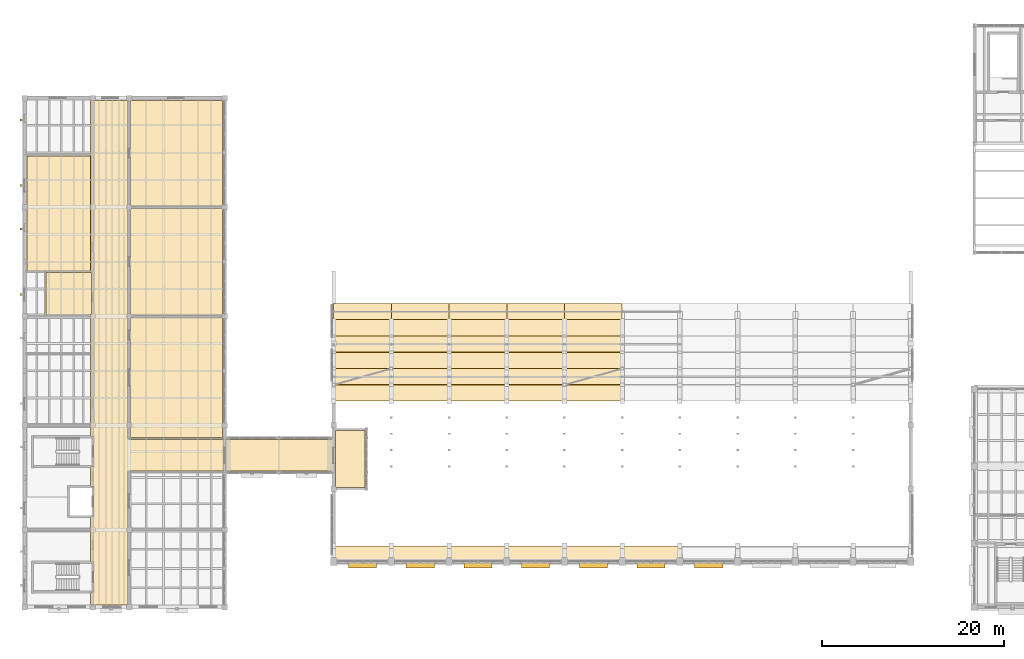
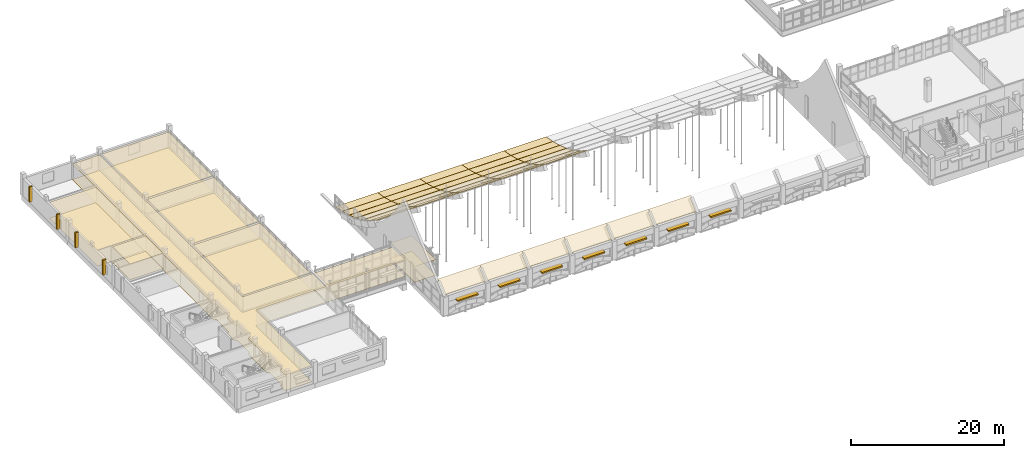
# One storey, part 73 of 77: 52 coverings, 11 shading devices.
"""IFC4 building model written with IfcOpenShell, lengths in metres."""

import ifcopenshell
import ifcopenshell.guid

model = None  # the IFC model being written
_history = None  # IfcOwnerHistory: only IFC2X3 demands one
_inside = {}  # id of a spatial element -> (the spatial element, [elements in it])
_under = {}  # id of a project, library or spatial element -> (it, [spatial elements below it])
_declared = {}  # id of a project -> (the project, [libraries it declares])
_typed = {}  # id of a type object -> (the type object, [elements of that type])
_made_of = {}  # id of a material, layer set ... -> (it, [elements and type objects made of it])


def new_model(schema):
    """Start an empty IFC model of exactly this schema.

    Asked for "IFC4X3", IfcOpenShell would pick the latest addendum, in which some entities
    have other attributes; the version numbers below select the first issue.
    IFC2X3 requires an IfcOwnerHistory on every rooted entity: one is made here for all.
    """
    global model, _history
    if schema == "IFC4X3":
        model = ifcopenshell.file(schema_version=(4, 3, 0, 0))
    else:
        model = ifcopenshell.file(schema=schema)
    _inside.clear()
    _under.clear()
    _declared.clear()
    _typed.clear()
    _made_of.clear()
    _history = None
    if model.schema == "IFC2X3":
        org = make("IfcOrganization", Name="unknown")
        user = make(
            "IfcPersonAndOrganization",
            ThePerson=make("IfcPerson", FamilyName="unknown"),
            TheOrganization=org,
        )
        app = make(
            "IfcApplication",
            ApplicationDeveloper=org,
            Version="unknown",
            ApplicationFullName="unknown",
            ApplicationIdentifier="unknown",
        )
        _history = make(
            "IfcOwnerHistory",
            OwningUser=user,
            OwningApplication=app,
            ChangeAction="ADDED",
            CreationDate=0,
        )
    return model


def make(cls, **values):
    """One entity of the class cls with the attributes given. An attribute that is None is left unset."""
    return model.create_entity(
        cls, **{name: value for name, value in values.items() if value is not None}
    )


def rooted(cls, **values):
    """An entity with a GlobalId (a new one), such as an element, a storey or a relation."""
    return make(cls, GlobalId=ifcopenshell.guid.new(), OwnerHistory=_history, **values)


def si_unit(unit_type, name, prefix=None):
    """IfcSIUnit, for example si_unit("LENGTHUNIT", "METRE", prefix="MILLI")."""
    return make("IfcSIUnit", UnitType=unit_type, Prefix=prefix, Name=name)


def assignment(units):
    """IfcUnitAssignment: the units of a project."""
    return None if units is None else make("IfcUnitAssignment", Units=units)


def point(xyz):
    """IfcCartesianPoint."""
    return None if xyz is None else make("IfcCartesianPoint", Coordinates=xyz)


def direction(xyz):
    """IfcDirection."""
    return None if xyz is None else make("IfcDirection", DirectionRatios=xyz)


def frame(location, z_axis=None, x_axis=None):
    """IfcAxis2Placement3D, a coordinate frame: its origin and axes. An axis left out is left unset."""
    return make(
        "IfcAxis2Placement3D",
        Location=point(location),
        Axis=direction(z_axis),
        RefDirection=direction(x_axis),
    )


def frame_2d(location, x_axis=None):
    """IfcAxis2Placement2D, a coordinate frame in the plane: its origin and x axis."""
    return make(
        "IfcAxis2Placement2D", Location=point(location), RefDirection=direction(x_axis)
    )


def origin():
    """The frame at (0, 0, 0) with its axes left unset."""
    return frame((0.0, 0.0, 0.0))


def origin_2d():
    """The frame at (0, 0) in the plane with its x axis left unset."""
    return frame_2d((0.0, 0.0))


def place(relative_to, where):
    """IfcLocalPlacement: puts the frame where relative to a parent placement (None: the world)."""
    return make(
        "IfcLocalPlacement", PlacementRelTo=relative_to, RelativePlacement=where
    )


def context(
    kind, dimensions, precision=None, world=None, true_north=None, identifier=None
):
    """IfcGeometricRepresentationContext, for example the 3D "Model" context."""
    return make(
        "IfcGeometricRepresentationContext",
        ContextIdentifier=identifier,
        ContextType=kind,
        CoordinateSpaceDimension=dimensions,
        Precision=precision,
        WorldCoordinateSystem=world,
        TrueNorth=true_north,
    )


def subcontext(parent, identifier, kind, view, scale=None):
    """IfcGeometricRepresentationSubContext, for example "Body" below "Model"."""
    return make(
        "IfcGeometricRepresentationSubContext",
        ContextIdentifier=identifier,
        ContextType=kind,
        ParentContext=parent,
        TargetScale=scale,
        TargetView=view,
    )


def project(units=None, contexts=None):
    """IfcProject with its units and contexts."""
    return rooted(
        "IfcProject",
        Name="project",
        RepresentationContexts=contexts,
        UnitsInContext=assignment(units),
    )


def spatial(cls, under=None, at=None, **own):
    """A site, building, storey or space (cls), placed at a placement, below another one or the project."""
    s = rooted(cls, ObjectPlacement=at, **own)
    if under is not None:
        _under.setdefault(under.id(), (under, []))[1].append(s)
    return s


def polyline(points):
    """IfcPolyline through the points."""
    return make("IfcPolyline", Points=[point(p) for p in points])


def profile(cls, at=None, kind="AREA", **sizes):
    """A parametric profile (cls). Its sizes go by their IFC names, for example OverallWidth=200.0."""
    return make(cls, ProfileType=kind, Position=at, **sizes)


def rectangle(**sizes):
    """IfcRectangleProfileDef."""
    return profile("IfcRectangleProfileDef", **sizes)


def outline(outer, holes=None, kind="AREA"):
    """IfcArbitraryClosedProfileDef: a profile drawn as a closed curve; with holes, ...WithVoids."""
    if holes is None:
        return make("IfcArbitraryClosedProfileDef", ProfileType=kind, OuterCurve=outer)
    return make(
        "IfcArbitraryProfileDefWithVoids",
        ProfileType=kind,
        OuterCurve=outer,
        InnerCurves=holes,
    )


def extrude(swept, where, along, depth):
    """IfcExtrudedAreaSolid: the profile swept, set in the frame where, extruded along a direction by depth."""
    return make(
        "IfcExtrudedAreaSolid",
        SweptArea=swept,
        Position=where,
        ExtrudedDirection=direction(along),
        Depth=depth,
    )


def shape(context_of_items, identifier, shape_type, items):
    """IfcShapeRepresentation: the items that make up one representation, for example the "Body"."""
    return make(
        "IfcShapeRepresentation",
        ContextOfItems=context_of_items,
        RepresentationIdentifier=identifier,
        RepresentationType=shape_type,
        Items=items,
    )


def material(Name=None, Category=None):
    """IfcMaterial."""
    return make("IfcMaterial", Name=Name, Category=Category)


def layer(
    of_material, thickness, ventilated=None, Name=None, Category=None, Priority=None
):
    """IfcMaterialLayer: one layer of a wall or slab, of a material (None: an air gap)."""
    return make(
        "IfcMaterialLayer",
        Material=of_material,
        LayerThickness=thickness,
        IsVentilated=ventilated,
        Name=Name,
        Category=Category,
        Priority=Priority,
    )


def layer_set(layers, Name=None):
    """IfcMaterialLayerSet."""
    return make("IfcMaterialLayerSet", MaterialLayers=layers, LayerSetName=Name)


def made_of(thing, what):
    """Note that an element or type object is made of a material, layer set ...; save() writes the relation."""
    if what is not None:
        _made_of.setdefault(what.id(), (what, []))[1].append(thing)
    return thing


def type_object(cls, material=None, **own):
    """A type object (cls), such as IfcWallType, which elements share."""
    return made_of(rooted(cls, **own), material)


def element(
    cls,
    number,
    at=None,
    inside=None,
    cuts=None,
    type_object=None,
    material=None,
    context=None,
    identifier="Body",
    shape_type=None,
    held_by="IfcProductDefinitionShape",
    body=None,
    shapes=None,
    **own,
):
    """One element of the class cls, such as IfcWall. Its Tag is "e" and its number.

    at: its placement. inside: the storey or other place that contains it. cuts: it is an
    opening in that element (IfcRelVoidsElement). A single representation is given by context,
    identifier, shape_type and body (its items); several are given by shapes. held_by: the class
    of the entity that holds the representations. save() writes the other relations.
    """
    e = rooted(cls, Tag="e%d" % number, ObjectPlacement=at, **own)
    if body is not None:
        shapes = [shape(context, identifier, shape_type, body)]
    if shapes is not None:
        e.Representation = make(held_by, Representations=shapes)
    if inside is not None:
        _inside.setdefault(inside.id(), (inside, []))[1].append(e)
    if cuts is not None:
        rooted(
            "IfcRelVoidsElement", RelatingBuildingElement=cuts, RelatedOpeningElement=e
        )
    if type_object is not None:
        _typed.setdefault(type_object.id(), (type_object, []))[1].append(e)
    return made_of(e, material)


def aggregate(whole, parts):
    """IfcRelAggregates: a whole, such as a stair, and the parts it consists of."""
    return rooted("IfcRelAggregates", RelatingObject=whole, RelatedObjects=parts)


def save(model, path):
    """Write the relations noted so far, then the file.

    IfcRelAggregates (storeys below a building ...), IfcRelContainedInSpatialStructure (elements
    in a storey), IfcRelDefinesByType, IfcRelAssociatesMaterial and IfcRelDeclares: one each for
    every whole, place, type object, material and project.
    """
    for whole, parts in _under.values():
        aggregate(whole, parts)
    for where, things in _inside.values():
        rooted(
            "IfcRelContainedInSpatialStructure",
            RelatedElements=things,
            RelatingStructure=where,
        )
    for kind, things in _typed.values():
        rooted("IfcRelDefinesByType", RelatedObjects=things, RelatingType=kind)
    for what, things in _made_of.values():
        rooted("IfcRelAssociatesMaterial", RelatedObjects=things, RelatingMaterial=what)
    for by, libraries in _declared.values():
        rooted("IfcRelDeclares", RelatingContext=by, RelatedDefinitions=libraries)
    model.write(path)


model = new_model("IFC4")

# Units and contexts
model_context = context("Model", 3, precision=1e-05, world=origin(), true_north=direction((0.0, 1.0)))
body_context = subcontext(model_context, "Body", "Model", "MODEL_VIEW")
ifc_project = project(units=[si_unit("LENGTHUNIT", "METRE"), si_unit("AREAUNIT", "SQUARE_METRE"), si_unit("VOLUMEUNIT", "CUBIC_METRE"), si_unit("PLANEANGLEUNIT", "RADIAN"), si_unit("MASSUNIT", "GRAM", prefix="KILO")], contexts=[model_context])

# Site, building, storey
site_placement = place(None, origin())
site = spatial("IfcSite", under=ifc_project, at=site_placement, CompositionType="ELEMENT")
building_placement = place(site_placement, origin())
building = spatial("IfcBuilding", under=site, at=building_placement, Name="Trellovar Central Fire Station", CompositionType="ELEMENT")
storey_placement = place(building_placement, frame((0.0, 0.0, 5.85009765625)))
storey = spatial("IfcBuildingStorey", under=building, at=storey_placement, Name="L02", CompositionType="ELEMENT", Elevation=5.85009765625)

# Coverings
ifc_material_1 = material(Name="Perforated acoustic mineral fiber ceiling tile", Category="mineral")
ifc_layer_1 = layer(ifc_material_1, 0.02490234375)
ifc_layer_set_1 = layer_set([ifc_layer_1], Name="Perforated acoustic mineral fiber ceiling tile")
covering_type_1 = type_object("IfcCoveringType", Name="COV-CLG1", PredefinedType="CEILING", material=ifc_layer_set_1)
covering_1_placement = place(storey_placement, frame((0.0, 0.0, 2.47998046875)))
element("IfcCovering", 1, at=covering_1_placement, inside=storey, type_object=covering_type_1, Name="Crew Level Two Corridor suspended ceiling", PredefinedType="CEILING", context=body_context, shape_type="SweptSolid", body=[
    extrude(outline(polyline([(8.56005859375, 18.93994140625), (8.56005859375, 22.260009765625), (8.25, 22.260009765625), (8.25, 24.43994140625), (8.56005859375, 24.43994140625), (8.56005859375, 27.760009765625), (8.25, 27.760009765625), (8.25, 64.75), (12.35009765625, 64.75), (12.35009765625, 27.449951171875), (22.949951171875, 27.449951171875), (22.949951171875, 23.949951171875), (12.35009765625, 23.949951171875), (12.35009765625, 9.25), (8.25, 9.25), (8.25, 10.639892578125), (8.56005859375, 10.639892578125), (8.56005859375, 13.9599609375), (8.25, 13.9599609375), (8.25, 18.93994140625), (8.56005859375, 18.93994140625)])), origin(), (0.0, 0.0, 1.0), 0.02490234375),
])
covering_2_placement = place(storey_placement, frame((0.0, 0.0, 2.47998046875)))
element("IfcCovering", 2, at=covering_2_placement, inside=storey, type_object=covering_type_1, Name="Crew Dayroom and Lounge suspended ceiling", PredefinedType="CEILING", context=body_context, shape_type="SweptSolid", body=[
    extrude(outline(polyline([(22.75, 40.85009765625), (22.75, 27.64990234375), (12.64990234375, 27.64990234375), (12.64990234375, 40.85009765625), (22.75, 40.85009765625)])), origin(), (0.0, 0.0, 1.0), 0.02490234375),
])
covering_3_placement = place(storey_placement, frame((0.0, 0.0, 2.47998046875)))
element("IfcCovering", 3, at=covering_3_placement, inside=storey, type_object=covering_type_1, Name="Linen and Bedding Store Room suspended ceiling", PredefinedType="CEILING", context=body_context, shape_type="SweptSolid", body=[
    extrude(outline(polyline([(8.25, 58.64990234375), (8.25, 46.0), (1.25, 46.0), (1.25, 58.64990234375), (8.25, 58.64990234375)])), origin(), (0.0, 0.0, 1.0), 0.02490234375),
])
covering_4_placement = place(storey_placement, frame((0.0, 0.0, 2.47998046875)))
element("IfcCovering", 4, at=covering_4_placement, inside=storey, type_object=covering_type_1, Name="Courtyard Cloister Bridge Corridor suspended ceiling", PredefinedType="CEILING", context=body_context, shape_type="SweptSolid", body=[
    extrude(outline(polyline([(34.949951171875, 27.449951171875), (34.949951171875, 23.949951171875), (23.050048828125, 23.949951171875), (23.050048828125, 27.449951171875), (34.949951171875, 27.449951171875)])), origin(), (0.0, 0.0, 1.0), 0.02490234375),
])
covering_5_placement = place(storey_placement, frame((0.0, 0.0, 2.47998046875)))
element("IfcCovering", 5, at=covering_5_placement, inside=storey, type_object=covering_type_1, Name="Appliance Vault Observation Gallery suspended ceiling", PredefinedType="CEILING", context=body_context, shape_type="SweptSolid", body=[
    extrude(outline(polyline([(38.449951171875, 28.449951171875), (38.449951171875, 22.14990234375), (35.199951171875, 22.14990234375), (35.199951171875, 28.449951171875), (38.449951171875, 28.449951171875)])), origin(), (0.0, 0.0, 1.0), 0.02490234375),
])
ifc_material_2 = material(Name="Moisture-resistant gypsum ceiling board", Category="gypsum")
ifc_layer_2 = layer(ifc_material_2, 0.030029296875)
ifc_layer_set_2 = layer_set([ifc_layer_2], Name="Moisture-resistant gypsum ceiling board")
covering_type_2 = type_object("IfcCoveringType", Name="COV-CLG2", PredefinedType="CEILING", material=ifc_layer_set_2)
covering_6_placement = place(storey_placement, frame((0.0, 0.0, 2.47998046875)))
element("IfcCovering", 6, at=covering_6_placement, inside=storey, type_object=covering_type_2, Name="Crew Locker and Shower Block A suspended ceiling", PredefinedType="CEILING", context=body_context, shape_type="SweptSolid", body=[
    extrude(outline(polyline([(22.75, 52.85009765625), (22.75, 41.14990234375), (12.64990234375, 41.14990234375), (12.64990234375, 52.85009765625), (22.75, 52.85009765625)])), origin(), (0.0, 0.0, 1.0), 0.030029296875),
])
covering_7_placement = place(storey_placement, frame((0.0, 0.0, 2.47998046875)))
element("IfcCovering", 7, at=covering_7_placement, inside=storey, type_object=covering_type_2, Name="Crew Locker and Shower Block B suspended ceiling", PredefinedType="CEILING", context=body_context, shape_type="SweptSolid", body=[
    extrude(outline(polyline([(22.75, 64.75), (22.75, 53.14990234375), (12.64990234375, 53.14990234375), (12.64990234375, 64.75), (22.75, 64.75)])), origin(), (0.0, 0.0, 1.0), 0.030029296875),
])
covering_8_placement = place(storey_placement, frame((0.0, 0.0, 2.47998046875)))
element("IfcCovering", 8, at=covering_8_placement, inside=storey, type_object=covering_type_2, Name="Crew Level Two Accessible Bathroom suspended ceiling", PredefinedType="CEILING", context=body_context, shape_type="SweptSolid", body=[
    extrude(outline(polyline([(8.35009765625, 45.800048828125), (8.35009765625, 41.199951171875), (3.35009765625, 41.199951171875), (3.35009765625, 45.800048828125), (8.35009765625, 45.800048828125)])), origin(), (0.0, 0.0, 1.0), 0.030029296875),
])
ifc_material_3 = material(Name="Vitrified Catalan ceramic floor tile", Category="masonry")
ifc_layer_3 = layer(ifc_material_3, 0.01806640625)
ifc_layer_set_3 = layer_set([ifc_layer_3], Name="Vitrified Catalan ceramic floor tile")
covering_type_3 = type_object("IfcCoveringType", Name="COV-FLR2", PredefinedType="FLOORING", material=ifc_layer_set_3)
covering_9_placement = place(storey_placement, origin())
element("IfcCovering", 9, at=covering_9_placement, inside=storey, type_object=covering_type_3, Name="Crew Level Two Corridor floor finish", PredefinedType="FLOORING", context=body_context, shape_type="SweptSolid", body=[
    extrude(outline(polyline([(8.56005859375, 18.93994140625), (8.56005859375, 22.260009765625), (8.25, 22.260009765625), (8.25, 24.43994140625), (8.56005859375, 24.43994140625), (8.56005859375, 27.760009765625), (8.25, 27.760009765625), (8.25, 64.75), (12.35009765625, 64.75), (12.35009765625, 27.449951171875), (22.949951171875, 27.449951171875), (22.949951171875, 23.949951171875), (12.35009765625, 23.949951171875), (12.35009765625, 9.25), (8.25, 9.25), (8.25, 10.639892578125), (8.56005859375, 10.639892578125), (8.56005859375, 13.9599609375), (8.25, 13.9599609375), (8.25, 18.93994140625), (8.56005859375, 18.93994140625)])), origin(), (0.0, 0.0, 1.0), 0.017822265625),
])
covering_10_placement = place(storey_placement, origin())
element("IfcCovering", 10, at=covering_10_placement, inside=storey, type_object=covering_type_3, Name="Crew Dayroom and Lounge floor finish", PredefinedType="FLOORING", context=body_context, shape_type="SweptSolid", body=[
    extrude(outline(polyline([(22.75, 40.85009765625), (22.75, 27.64990234375), (12.64990234375, 27.64990234375), (12.64990234375, 40.85009765625), (22.75, 40.85009765625)])), origin(), (0.0, 0.0, 1.0), 0.017822265625),
])
covering_11_placement = place(storey_placement, origin())
element("IfcCovering", 11, at=covering_11_placement, inside=storey, type_object=covering_type_3, Name="Crew Locker and Shower Block A floor finish", PredefinedType="FLOORING", context=body_context, shape_type="SweptSolid", body=[
    extrude(outline(polyline([(22.75, 52.85009765625), (22.75, 41.14990234375), (12.64990234375, 41.14990234375), (12.64990234375, 52.85009765625), (22.75, 52.85009765625)])), origin(), (0.0, 0.0, 1.0), 0.017822265625),
])
covering_12_placement = place(storey_placement, origin())
element("IfcCovering", 12, at=covering_12_placement, inside=storey, type_object=covering_type_3, Name="Crew Locker and Shower Block B floor finish", PredefinedType="FLOORING", context=body_context, shape_type="SweptSolid", body=[
    extrude(outline(polyline([(22.75, 64.75), (22.75, 53.14990234375), (12.64990234375, 53.14990234375), (12.64990234375, 64.75), (22.75, 64.75)])), origin(), (0.0, 0.0, 1.0), 0.017822265625),
])
covering_13_placement = place(storey_placement, origin())
element("IfcCovering", 13, at=covering_13_placement, inside=storey, type_object=covering_type_3, Name="Crew Level Two Accessible Bathroom floor finish", PredefinedType="FLOORING", context=body_context, shape_type="SweptSolid", body=[
    extrude(outline(polyline([(8.35009765625, 45.800048828125), (8.35009765625, 41.199951171875), (3.35009765625, 41.199951171875), (3.35009765625, 45.800048828125), (8.35009765625, 45.800048828125)])), origin(), (0.0, 0.0, 1.0), 0.017822265625),
])
covering_14_placement = place(storey_placement, origin())
element("IfcCovering", 14, at=covering_14_placement, inside=storey, type_object=covering_type_3, Name="Linen and Bedding Store Room floor finish", PredefinedType="FLOORING", context=body_context, shape_type="SweptSolid", body=[
    extrude(outline(polyline([(8.25, 58.64990234375), (8.25, 46.0), (1.25, 46.0), (1.25, 58.64990234375), (8.25, 58.64990234375)])), origin(), (0.0, 0.0, 1.0), 0.017822265625),
])
covering_15_placement = place(storey_placement, origin())
element("IfcCovering", 15, at=covering_15_placement, inside=storey, type_object=covering_type_3, Name="Courtyard Cloister Bridge Corridor floor finish", PredefinedType="FLOORING", context=body_context, shape_type="SweptSolid", body=[
    extrude(outline(polyline([(34.949951171875, 27.449951171875), (34.949951171875, 23.949951171875), (23.050048828125, 23.949951171875), (23.050048828125, 27.449951171875), (34.949951171875, 27.449951171875)])), origin(), (0.0, 0.0, 1.0), 0.017822265625),
])
covering_16_placement = place(storey_placement, origin())
element("IfcCovering", 16, at=covering_16_placement, inside=storey, type_object=covering_type_3, Name="Appliance Vault Observation Gallery floor finish", PredefinedType="FLOORING", context=body_context, shape_type="SweptSolid", body=[
    extrude(outline(polyline([(38.449951171875, 28.449951171875), (38.449951171875, 22.14990234375), (35.199951171875, 22.14990234375), (35.199951171875, 28.449951171875), (38.449951171875, 28.449951171875)])), origin(), (0.0, 0.0, 1.0), 0.017822265625),
])
ifc_material_4 = material(Name="Glazed ceramic trencadis roofing", Category="masonry")
ifc_layer_4 = layer(ifc_material_4, 0.06005859375)
ifc_layer_set_4 = layer_set([ifc_layer_4], Name="Glazed ceramic trencadis roofing")
covering_type_4 = type_object("IfcCoveringType", Name="COV-RF1", PredefinedType="ROOFING", material=ifc_layer_set_4)
covering_17_placement = place(storey_placement, frame((35.0, 14.001953125, 3.01171875), z_axis=(0.0, -0.667689886388, 0.744439531202), x_axis=(1.0, 0.0, 0.0)))
element("IfcCovering", 17, at=covering_17_placement, inside=storey, type_object=covering_type_4, Name="Glazed trencadis vault covering V1-01-01", PredefinedType="ROOFING", context=body_context, shape_type="SweptSolid", body=[
    extrude(outline(polyline([(0.0, 0.0), (6.35009765625, 0.0), (6.35009765625, 2.287139045399086), (0.0, 2.287139045399086), (0.0, 0.0)])), origin(), (0.0, 0.0, -1.0), 0.06005859375),
])
covering_18_placement = place(storey_placement, frame((35.0, 31.688232421875, 4.226806640625), z_axis=(0.0, 0.549543979081, 0.835464789836), x_axis=(1.0, 0.0, 0.0)))
element("IfcCovering", 18, at=covering_18_placement, inside=storey, type_object=covering_type_4, Name="Glazed trencadis vault covering V1-01-11", PredefinedType="ROOFING", context=body_context, shape_type="SweptSolid", body=[
    extrude(outline(polyline([(0.0, 0.0), (6.35009765625, 0.0), (6.35009765625, 2.1022401872783076), (0.0, 2.1022401872783076), (0.0, 0.0)])), origin(), (0.0, 0.0, -1.0), 0.06005859375),
])
covering_19_placement = place(storey_placement, frame((35.0, 33.477294921875, 3.0537109375), z_axis=(0.0, 0.476141734804, 0.879368550937), x_axis=(1.0, 0.0, 0.0)))
element("IfcCovering", 19, at=covering_19_placement, inside=storey, type_object=covering_type_4, Name="Glazed trencadis vault covering V1-01-12", PredefinedType="ROOFING", context=body_context, shape_type="SweptSolid", body=[
    extrude(outline(polyline([(0.0, 0.0), (6.35009765625, 0.0), (6.35009765625, 2.002280142522104), (0.0, 2.002280142522104), (0.0, 0.0)])), origin(), (0.0, 0.0, -1.0), 0.06005859375),
])
covering_20_placement = place(storey_placement, frame((35.0, 35.26611328125, 2.087646484375), z_axis=(0.0, 0.402929505594, 0.915231016477), x_axis=(1.0, 0.0, 0.0)))
element("IfcCovering", 20, at=covering_20_placement, inside=storey, type_object=covering_type_4, Name="Glazed trencadis vault covering V1-01-13", PredefinedType="ROOFING", context=body_context, shape_type="SweptSolid", body=[
    extrude(outline(polyline([(0.0, 0.0), (6.35009765625, 0.0), (6.35009765625, 1.9286242347254414), (0.0, 1.9286242347254414), (0.0, 0.0)])), origin(), (0.0, 0.0, -1.0), 0.06005859375),
])
covering_21_placement = place(storey_placement, frame((35.0, 37.05517578125, 1.302001953125), z_axis=(0.0, 0.329561198242, 0.94413421536), x_axis=(1.0, 0.0, 0.0)))
element("IfcCovering", 21, at=covering_21_placement, inside=storey, type_object=covering_type_4, Name="Glazed trencadis vault covering V1-01-14", PredefinedType="ROOFING", context=body_context, shape_type="SweptSolid", body=[
    extrude(outline(polyline([(0.0, 0.0), (6.35009765625, 0.0), (6.35009765625, 1.8742369688674272), (0.0, 1.8742369688674272), (0.0, 0.0)])), origin(), (0.0, 0.0, -1.0), 0.06005859375),
])
covering_22_placement = place(storey_placement, frame((35.0, 38.843994140625, 0.678955078125), z_axis=(0.0, 0.256345926004, 0.966585105524), x_axis=(1.0, 0.0, 0.0)))
element("IfcCovering", 22, at=covering_22_placement, inside=storey, type_object=covering_type_4, Name="Glazed trencadis vault covering V1-01-15", PredefinedType="ROOFING", context=body_context, shape_type="SweptSolid", body=[
    extrude(outline(polyline([(0.0, 0.0), (6.35009765625, 0.0), (6.35009765625, 1.8352504824580702), (0.0, 1.8352504824580702), (0.0, 0.0)])), origin(), (0.0, 0.0, -1.0), 0.06005859375),
])
covering_23_placement = place(storey_placement, frame((35.0, 40.633056640625, 0.20556640625), z_axis=(0.0, 0.18314757425, 0.983085431713), x_axis=(1.0, 0.0, 0.0)))
element("IfcCovering", 23, at=covering_23_placement, inside=storey, type_object=covering_type_4, Name="Glazed trencadis vault covering V1-01-16", PredefinedType="ROOFING", context=body_context, shape_type="SweptSolid", body=[
    extrude(outline(polyline([(0.0, 0.0), (6.35009765625, 0.0), (6.35009765625, 1.8089173688610256), (0.0, 1.8089173688610256), (0.0, 0.0)])), origin(), (0.0, 0.0, -1.0), 0.06005859375),
])
covering_24_placement = place(storey_placement, frame((41.35009765625, 14.001953125, 3.01171875), z_axis=(0.0, -0.667689886388, 0.744439531202), x_axis=(1.0, 0.0, 0.0)))
element("IfcCovering", 24, at=covering_24_placement, inside=storey, type_object=covering_type_4, Name="Glazed trencadis vault covering V1-02-01", PredefinedType="ROOFING", context=body_context, shape_type="SweptSolid", body=[
    extrude(outline(polyline([(0.0, 0.0), (6.349853515625, 0.0), (6.349853515625, 2.287139045399087), (0.0, 2.287139045399087), (0.0, 0.0)])), origin(), (0.0, 0.0, -1.0), 0.06005859375),
])
covering_25_placement = place(storey_placement, frame((41.35009765625, 31.688232421875, 4.226806640625), z_axis=(0.0, 0.549543979081, 0.835464789836), x_axis=(1.0, 0.0, 0.0)))
element("IfcCovering", 25, at=covering_25_placement, inside=storey, type_object=covering_type_4, Name="Glazed trencadis vault covering V1-02-11", PredefinedType="ROOFING", context=body_context, shape_type="SweptSolid", body=[
    extrude(outline(polyline([(0.0, 0.0), (6.349853515625, 0.0), (6.349853515625, 2.102240187278308), (0.0, 2.102240187278308), (0.0, 0.0)])), origin(), (0.0, 0.0, -1.0), 0.06005859375),
])
covering_26_placement = place(storey_placement, frame((41.35009765625, 33.477294921875, 3.0537109375), z_axis=(0.0, 0.476141734804, 0.879368550937), x_axis=(1.0, 0.0, 0.0)))
element("IfcCovering", 26, at=covering_26_placement, inside=storey, type_object=covering_type_4, Name="Glazed trencadis vault covering V1-02-12", PredefinedType="ROOFING", context=body_context, shape_type="SweptSolid", body=[
    extrude(outline(polyline([(0.0, 0.0), (6.349853515625, 0.0), (6.349853515625, 2.0022801425221037), (0.0, 2.0022801425221037), (0.0, 0.0)])), origin(), (0.0, 0.0, -1.0), 0.06005859375),
])
covering_27_placement = place(storey_placement, frame((41.35009765625, 35.26611328125, 2.087646484375), z_axis=(0.0, 0.402929505594, 0.915231016477), x_axis=(1.0, 0.0, 0.0)))
element("IfcCovering", 27, at=covering_27_placement, inside=storey, type_object=covering_type_4, Name="Glazed trencadis vault covering V1-02-13", PredefinedType="ROOFING", context=body_context, shape_type="SweptSolid", body=[
    extrude(outline(polyline([(0.0, 0.0), (6.349853515625, 0.0), (6.349853515625, 1.9286242347254412), (0.0, 1.9286242347254412), (0.0, 0.0)])), origin(), (0.0, 0.0, -1.0), 0.06005859375),
])
covering_28_placement = place(storey_placement, frame((41.35009765625, 37.05517578125, 1.302001953125), z_axis=(0.0, 0.329561198242, 0.94413421536), x_axis=(1.0, 0.0, 0.0)))
element("IfcCovering", 28, at=covering_28_placement, inside=storey, type_object=covering_type_4, Name="Glazed trencadis vault covering V1-02-14", PredefinedType="ROOFING", context=body_context, shape_type="SweptSolid", body=[
    extrude(outline(polyline([(0.0, 0.0), (6.349853515625, 0.0), (6.349853515625, 1.8742369688674272), (0.0, 1.8742369688674272), (0.0, 0.0)])), origin(), (0.0, 0.0, -1.0), 0.06005859375),
])
covering_29_placement = place(storey_placement, frame((41.35009765625, 38.843994140625, 0.678955078125), z_axis=(0.0, 0.256345926004, 0.966585105524), x_axis=(1.0, 0.0, 0.0)))
element("IfcCovering", 29, at=covering_29_placement, inside=storey, type_object=covering_type_4, Name="Glazed trencadis vault covering V1-02-15", PredefinedType="ROOFING", context=body_context, shape_type="SweptSolid", body=[
    extrude(outline(polyline([(0.0, 0.0), (6.349853515625, 0.0), (6.349853515625, 1.8352504824580702), (0.0, 1.8352504824580702), (0.0, 0.0)])), origin(), (0.0, 0.0, -1.0), 0.06005859375),
])
covering_30_placement = place(storey_placement, frame((41.35009765625, 40.633056640625, 0.20556640625), z_axis=(0.0, 0.18314757425, 0.983085431713), x_axis=(1.0, 0.0, 0.0)))
element("IfcCovering", 30, at=covering_30_placement, inside=storey, type_object=covering_type_4, Name="Glazed trencadis vault covering V1-02-16", PredefinedType="ROOFING", context=body_context, shape_type="SweptSolid", body=[
    extrude(outline(polyline([(0.0, 0.0), (6.349853515625, 0.0), (6.349853515625, 1.8089173688610258), (0.0, 1.8089173688610258), (0.0, 0.0)])), origin(), (0.0, 0.0, -1.0), 0.06005859375),
])
covering_31_placement = place(storey_placement, frame((47.699951171875, 14.001953125, 3.01171875), z_axis=(0.0, -0.667689886388, 0.744439531202), x_axis=(1.0, 0.0, 0.0)))
element("IfcCovering", 31, at=covering_31_placement, inside=storey, type_object=covering_type_4, Name="Glazed trencadis vault covering V1-03-01", PredefinedType="ROOFING", context=body_context, shape_type="SweptSolid", body=[
    extrude(outline(polyline([(0.0, 0.0), (6.35009765625, 0.0), (6.35009765625, 2.287139045399086), (0.0, 2.287139045399086), (0.0, 0.0)])), origin(), (0.0, 0.0, -1.0), 0.06005859375),
])
covering_32_placement = place(storey_placement, frame((47.699951171875, 31.688232421875, 4.226806640625), z_axis=(0.0, 0.549543979081, 0.835464789836), x_axis=(1.0, 0.0, 0.0)))
element("IfcCovering", 32, at=covering_32_placement, inside=storey, type_object=covering_type_4, Name="Glazed trencadis vault covering V1-03-11", PredefinedType="ROOFING", context=body_context, shape_type="SweptSolid", body=[
    extrude(outline(polyline([(0.0, 0.0), (6.35009765625, 0.0), (6.35009765625, 2.1022401872783076), (0.0, 2.1022401872783076), (0.0, 0.0)])), origin(), (0.0, 0.0, -1.0), 0.06005859375),
])
covering_33_placement = place(storey_placement, frame((47.699951171875, 33.477294921875, 3.0537109375), z_axis=(0.0, 0.476141734804, 0.879368550937), x_axis=(1.0, 0.0, 0.0)))
element("IfcCovering", 33, at=covering_33_placement, inside=storey, type_object=covering_type_4, Name="Glazed trencadis vault covering V1-03-12", PredefinedType="ROOFING", context=body_context, shape_type="SweptSolid", body=[
    extrude(outline(polyline([(0.0, 0.0), (6.35009765625, 0.0), (6.35009765625, 2.002280142522104), (0.0, 2.002280142522104), (0.0, 0.0)])), origin(), (0.0, 0.0, -1.0), 0.06005859375),
])
covering_34_placement = place(storey_placement, frame((47.699951171875, 35.26611328125, 2.087646484375), z_axis=(0.0, 0.402929505594, 0.915231016477), x_axis=(1.0, 0.0, 0.0)))
element("IfcCovering", 34, at=covering_34_placement, inside=storey, type_object=covering_type_4, Name="Glazed trencadis vault covering V1-03-13", PredefinedType="ROOFING", context=body_context, shape_type="SweptSolid", body=[
    extrude(outline(polyline([(0.0, 0.0), (6.35009765625, 0.0), (6.35009765625, 1.9286242347254414), (0.0, 1.9286242347254414), (0.0, 0.0)])), origin(), (0.0, 0.0, -1.0), 0.06005859375),
])
covering_35_placement = place(storey_placement, frame((47.699951171875, 37.05517578125, 1.302001953125), z_axis=(0.0, 0.329561198242, 0.94413421536), x_axis=(1.0, 0.0, 0.0)))
element("IfcCovering", 35, at=covering_35_placement, inside=storey, type_object=covering_type_4, Name="Glazed trencadis vault covering V1-03-14", PredefinedType="ROOFING", context=body_context, shape_type="SweptSolid", body=[
    extrude(outline(polyline([(0.0, 0.0), (6.35009765625, 0.0), (6.35009765625, 1.8742369688674272), (0.0, 1.8742369688674272), (0.0, 0.0)])), origin(), (0.0, 0.0, -1.0), 0.06005859375),
])
covering_36_placement = place(storey_placement, frame((47.699951171875, 38.843994140625, 0.678955078125), z_axis=(0.0, 0.256345926004, 0.966585105524), x_axis=(1.0, 0.0, 0.0)))
element("IfcCovering", 36, at=covering_36_placement, inside=storey, type_object=covering_type_4, Name="Glazed trencadis vault covering V1-03-15", PredefinedType="ROOFING", context=body_context, shape_type="SweptSolid", body=[
    extrude(outline(polyline([(0.0, 0.0), (6.35009765625, 0.0), (6.35009765625, 1.8352504824580702), (0.0, 1.8352504824580702), (0.0, 0.0)])), origin(), (0.0, 0.0, -1.0), 0.06005859375),
])
covering_37_placement = place(storey_placement, frame((47.699951171875, 40.633056640625, 0.20556640625), z_axis=(0.0, 0.18314757425, 0.983085431713), x_axis=(1.0, 0.0, 0.0)))
element("IfcCovering", 37, at=covering_37_placement, inside=storey, type_object=covering_type_4, Name="Glazed trencadis vault covering V1-03-16", PredefinedType="ROOFING", context=body_context, shape_type="SweptSolid", body=[
    extrude(outline(polyline([(0.0, 0.0), (6.35009765625, 0.0), (6.35009765625, 1.8089173688610256), (0.0, 1.8089173688610256), (0.0, 0.0)])), origin(), (0.0, 0.0, -1.0), 0.06005859375),
])
covering_38_placement = place(storey_placement, frame((54.050048828125, 14.001953125, 3.01171875), z_axis=(0.0, -0.667689886388, 0.744439531202), x_axis=(1.0, 0.0, 0.0)))
element("IfcCovering", 38, at=covering_38_placement, inside=storey, type_object=covering_type_4, Name="Glazed trencadis vault covering V1-04-01", PredefinedType="ROOFING", context=body_context, shape_type="SweptSolid", body=[
    extrude(outline(polyline([(0.0, 0.0), (6.349853515625, 0.0), (6.349853515625, 2.287139045399087), (0.0, 2.287139045399087), (0.0, 0.0)])), origin(), (0.0, 0.0, -1.0), 0.06005859375),
])
covering_39_placement = place(storey_placement, frame((54.050048828125, 31.688232421875, 4.226806640625), z_axis=(0.0, 0.549543979081, 0.835464789836), x_axis=(1.0, 0.0, 0.0)))
element("IfcCovering", 39, at=covering_39_placement, inside=storey, type_object=covering_type_4, Name="Glazed trencadis vault covering V1-04-11", PredefinedType="ROOFING", context=body_context, shape_type="SweptSolid", body=[
    extrude(outline(polyline([(0.0, 0.0), (6.349853515625, 0.0), (6.349853515625, 2.102240187278308), (0.0, 2.102240187278308), (0.0, 0.0)])), origin(), (0.0, 0.0, -1.0), 0.06005859375),
])
covering_40_placement = place(storey_placement, frame((54.050048828125, 33.477294921875, 3.0537109375), z_axis=(0.0, 0.476141734804, 0.879368550937), x_axis=(1.0, 0.0, 0.0)))
element("IfcCovering", 40, at=covering_40_placement, inside=storey, type_object=covering_type_4, Name="Glazed trencadis vault covering V1-04-12", PredefinedType="ROOFING", context=body_context, shape_type="SweptSolid", body=[
    extrude(outline(polyline([(0.0, 0.0), (6.349853515625, 0.0), (6.349853515625, 2.0022801425221037), (0.0, 2.0022801425221037), (0.0, 0.0)])), origin(), (0.0, 0.0, -1.0), 0.06005859375),
])
covering_41_placement = place(storey_placement, frame((54.050048828125, 35.26611328125, 2.087646484375), z_axis=(0.0, 0.402929505594, 0.915231016477), x_axis=(1.0, 0.0, 0.0)))
element("IfcCovering", 41, at=covering_41_placement, inside=storey, type_object=covering_type_4, Name="Glazed trencadis vault covering V1-04-13", PredefinedType="ROOFING", context=body_context, shape_type="SweptSolid", body=[
    extrude(outline(polyline([(0.0, 0.0), (6.349853515625, 0.0), (6.349853515625, 1.9286242347254412), (0.0, 1.9286242347254412), (0.0, 0.0)])), origin(), (0.0, 0.0, -1.0), 0.06005859375),
])
covering_42_placement = place(storey_placement, frame((54.050048828125, 37.05517578125, 1.302001953125), z_axis=(0.0, 0.329561198242, 0.94413421536), x_axis=(1.0, 0.0, 0.0)))
element("IfcCovering", 42, at=covering_42_placement, inside=storey, type_object=covering_type_4, Name="Glazed trencadis vault covering V1-04-14", PredefinedType="ROOFING", context=body_context, shape_type="SweptSolid", body=[
    extrude(outline(polyline([(0.0, 0.0), (6.349853515625, 0.0), (6.349853515625, 1.8742369688674272), (0.0, 1.8742369688674272), (0.0, 0.0)])), origin(), (0.0, 0.0, -1.0), 0.06005859375),
])
covering_43_placement = place(storey_placement, frame((54.050048828125, 38.843994140625, 0.678955078125), z_axis=(0.0, 0.256345926004, 0.966585105524), x_axis=(1.0, 0.0, 0.0)))
element("IfcCovering", 43, at=covering_43_placement, inside=storey, type_object=covering_type_4, Name="Glazed trencadis vault covering V1-04-15", PredefinedType="ROOFING", context=body_context, shape_type="SweptSolid", body=[
    extrude(outline(polyline([(0.0, 0.0), (6.349853515625, 0.0), (6.349853515625, 1.8352504824580702), (0.0, 1.8352504824580702), (0.0, 0.0)])), origin(), (0.0, 0.0, -1.0), 0.06005859375),
])
covering_44_placement = place(storey_placement, frame((54.050048828125, 40.633056640625, 0.20556640625), z_axis=(0.0, 0.18314757425, 0.983085431713), x_axis=(1.0, 0.0, 0.0)))
element("IfcCovering", 44, at=covering_44_placement, inside=storey, type_object=covering_type_4, Name="Glazed trencadis vault covering V1-04-16", PredefinedType="ROOFING", context=body_context, shape_type="SweptSolid", body=[
    extrude(outline(polyline([(0.0, 0.0), (6.349853515625, 0.0), (6.349853515625, 1.8089173688610258), (0.0, 1.8089173688610258), (0.0, 0.0)])), origin(), (0.0, 0.0, -1.0), 0.06005859375),
])
covering_45_placement = place(storey_placement, frame((60.39990234375, 14.001953125, 3.01171875), z_axis=(0.0, -0.667689886388, 0.744439531202), x_axis=(1.0, 0.0, 0.0)))
element("IfcCovering", 45, at=covering_45_placement, inside=storey, type_object=covering_type_4, Name="Glazed trencadis vault covering V1-05-01", PredefinedType="ROOFING", context=body_context, shape_type="SweptSolid", body=[
    extrude(outline(polyline([(0.0, 0.0), (6.35009765625, 0.0), (6.35009765625, 2.287139045399086), (0.0, 2.287139045399086), (0.0, 0.0)])), origin(), (0.0, 0.0, -1.0), 0.06005859375),
])
covering_46_placement = place(storey_placement, frame((60.39990234375, 31.688232421875, 4.226806640625), z_axis=(0.0, 0.549543979081, 0.835464789836), x_axis=(1.0, 0.0, 0.0)))
element("IfcCovering", 46, at=covering_46_placement, inside=storey, type_object=covering_type_4, Name="Glazed trencadis vault covering V1-05-11", PredefinedType="ROOFING", context=body_context, shape_type="SweptSolid", body=[
    extrude(outline(polyline([(0.0, 0.0), (6.35009765625, 0.0), (6.35009765625, 2.1022401872783076), (0.0, 2.1022401872783076), (0.0, 0.0)])), origin(), (0.0, 0.0, -1.0), 0.06005859375),
])
covering_47_placement = place(storey_placement, frame((60.39990234375, 33.477294921875, 3.0537109375), z_axis=(0.0, 0.476141734804, 0.879368550937), x_axis=(1.0, 0.0, 0.0)))
element("IfcCovering", 47, at=covering_47_placement, inside=storey, type_object=covering_type_4, Name="Glazed trencadis vault covering V1-05-12", PredefinedType="ROOFING", context=body_context, shape_type="SweptSolid", body=[
    extrude(outline(polyline([(0.0, 0.0), (6.35009765625, 0.0), (6.35009765625, 2.002280142522104), (0.0, 2.002280142522104), (0.0, 0.0)])), origin(), (0.0, 0.0, -1.0), 0.06005859375),
])
covering_48_placement = place(storey_placement, frame((60.39990234375, 35.26611328125, 2.087646484375), z_axis=(0.0, 0.402929505594, 0.915231016477), x_axis=(1.0, 0.0, 0.0)))
element("IfcCovering", 48, at=covering_48_placement, inside=storey, type_object=covering_type_4, Name="Glazed trencadis vault covering V1-05-13", PredefinedType="ROOFING", context=body_context, shape_type="SweptSolid", body=[
    extrude(outline(polyline([(0.0, 0.0), (6.35009765625, 0.0), (6.35009765625, 1.9286242347254414), (0.0, 1.9286242347254414), (0.0, 0.0)])), origin(), (0.0, 0.0, -1.0), 0.06005859375),
])
covering_49_placement = place(storey_placement, frame((60.39990234375, 37.05517578125, 1.302001953125), z_axis=(0.0, 0.329561198242, 0.94413421536), x_axis=(1.0, 0.0, 0.0)))
element("IfcCovering", 49, at=covering_49_placement, inside=storey, type_object=covering_type_4, Name="Glazed trencadis vault covering V1-05-14", PredefinedType="ROOFING", context=body_context, shape_type="SweptSolid", body=[
    extrude(outline(polyline([(0.0, 0.0), (6.35009765625, 0.0), (6.35009765625, 1.8742369688674272), (0.0, 1.8742369688674272), (0.0, 0.0)])), origin(), (0.0, 0.0, -1.0), 0.06005859375),
])
covering_50_placement = place(storey_placement, frame((60.39990234375, 38.843994140625, 0.678955078125), z_axis=(0.0, 0.256345926004, 0.966585105524), x_axis=(1.0, 0.0, 0.0)))
element("IfcCovering", 50, at=covering_50_placement, inside=storey, type_object=covering_type_4, Name="Glazed trencadis vault covering V1-05-15", PredefinedType="ROOFING", context=body_context, shape_type="SweptSolid", body=[
    extrude(outline(polyline([(0.0, 0.0), (6.35009765625, 0.0), (6.35009765625, 1.8352504824580702), (0.0, 1.8352504824580702), (0.0, 0.0)])), origin(), (0.0, 0.0, -1.0), 0.06005859375),
])
covering_51_placement = place(storey_placement, frame((60.39990234375, 40.633056640625, 0.20556640625), z_axis=(0.0, 0.18314757425, 0.983085431713), x_axis=(1.0, 0.0, 0.0)))
element("IfcCovering", 51, at=covering_51_placement, inside=storey, type_object=covering_type_4, Name="Glazed trencadis vault covering V1-05-16", PredefinedType="ROOFING", context=body_context, shape_type="SweptSolid", body=[
    extrude(outline(polyline([(0.0, 0.0), (6.35009765625, 0.0), (6.35009765625, 1.8089173688610256), (0.0, 1.8089173688610256), (0.0, 0.0)])), origin(), (0.0, 0.0, -1.0), 0.06005859375),
])
covering_52_placement = place(storey_placement, frame((66.75, 14.001953125, 3.01171875), z_axis=(0.0, -0.667689886388, 0.744439531202), x_axis=(1.0, 0.0, 0.0)))
element("IfcCovering", 52, at=covering_52_placement, inside=storey, type_object=covering_type_4, Name="Glazed trencadis vault covering V1-06-01", PredefinedType="ROOFING", context=body_context, shape_type="SweptSolid", body=[
    extrude(outline(polyline([(0.0, 0.0), (6.35009765625, 0.0), (6.35009765625, 2.287139045399086), (0.0, 2.287139045399086), (0.0, 0.0)])), origin(), (0.0, 0.0, -1.0), 0.06005859375),
])

# Shading devices
ifc_material_5 = material(Name="Patina bronze wrought metalwork", Category="metal")
shading_device_type_1 = type_object("IfcShadingDeviceType", Name="SHD-LV2", PredefinedType="SHUTTER", material=ifc_material_5)
for number, where, z_axis, x_axis, name in (
    (53, (0.715087890625, 43.39990234375, 0.449951171875), (0.0, 0.0, 1.0), (1.0, 0.0, 0.0), "L02 Catalan solar brise-soleil LV-2"),
    (54, (0.715087890625, 50.60009765625, 0.449951171875), (0.0, 0.0, 1.0), (1.0, 0.0, 0.0), "L02 Catalan solar brise-soleil LV-2"),
    (55, (0.715087890625, 55.39990234375, 0.449951171875), (0.0, 0.0, 1.0), (1.0, 0.0, 0.0), "L02 Catalan solar brise-soleil LV-2"),
    (56, (0.715087890625, 62.60009765625, 0.449951171875), (0.0, 0.0, 1.0), (1.0, 0.0, 0.0), "L02 Catalan solar brise-soleil LV-2"),
):
    element("IfcShadingDevice", number, at=place(storey_placement, frame(where, z_axis=z_axis, x_axis=x_axis)), inside=storey, type_object=shading_device_type_1, Name=name, PredefinedType="SHUTTER", context=body_context, shape_type="SweptSolid", body=[
        extrude(rectangle(XDim=0.449951171875, YDim=0.239990234375, at=origin_2d()), origin(), (0.0, 0.0, 1.0), 2.39990234375),
    ])
ifc_material_6 = material(Name="Patina bronze wrought metalwork", Category="metal")
shading_device_type_2 = type_object("IfcShadingDeviceType", Name="SHD-LV4", PredefinedType="AWNING", material=ifc_material_6)
for number, where, z_axis, x_axis, name in (
    (57, (38.175048828125, 13.610107421875, 1.7900390625), (0.0, 0.0, 1.0), (1.0, 0.0, 0.0), "L02 Catalan solar brise-soleil LV-4"),
    (58, (44.52490234375, 13.610107421875, 1.7900390625), (0.0, 0.0, 1.0), (1.0, 0.0, 0.0), "L02 Catalan solar brise-soleil LV-4"),
    (59, (50.875, 13.610107421875, 1.7900390625), (0.0, 0.0, 1.0), (1.0, 0.0, 0.0), "L02 Catalan solar brise-soleil LV-4"),
    (60, (57.22509765625, 13.610107421875, 1.7900390625), (0.0, 0.0, 1.0), (1.0, 0.0, 0.0), "L02 Catalan solar brise-soleil LV-4"),
    (61, (63.574951171875, 13.610107421875, 1.7900390625), (0.0, 0.0, 1.0), (1.0, 0.0, 0.0), "L02 Catalan solar brise-soleil LV-4"),
    (62, (69.925048828125, 13.610107421875, 1.7900390625), (0.0, 0.0, 1.0), (1.0, 0.0, 0.0), "L02 Catalan solar brise-soleil LV-4"),
    (63, (76.27490234375, 13.610107421875, 1.7900390625), (0.0, 0.0, 1.0), (1.0, 0.0, 0.0), "L02 Catalan solar brise-soleil LV-4"),
):
    element("IfcShadingDevice", number, at=place(storey_placement, frame(where, z_axis=z_axis, x_axis=x_axis)), inside=storey, type_object=shading_device_type_2, Name=name, PredefinedType="AWNING", context=body_context, shape_type="SweptSolid", body=[
        extrude(rectangle(XDim=3.10009765625, YDim=0.64990234375, at=origin_2d()), origin(), (0.0, 0.0, 1.0), 0.219970703125),
    ])

save(model, "model.ifc")
